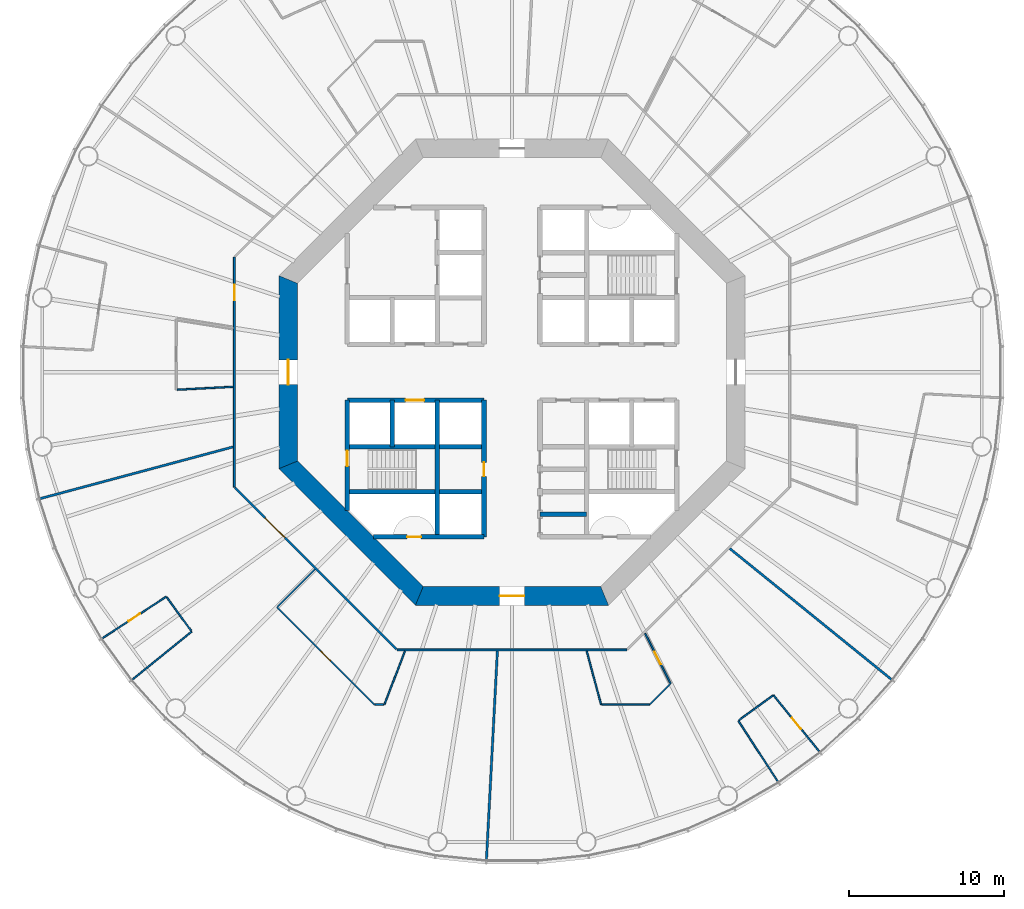
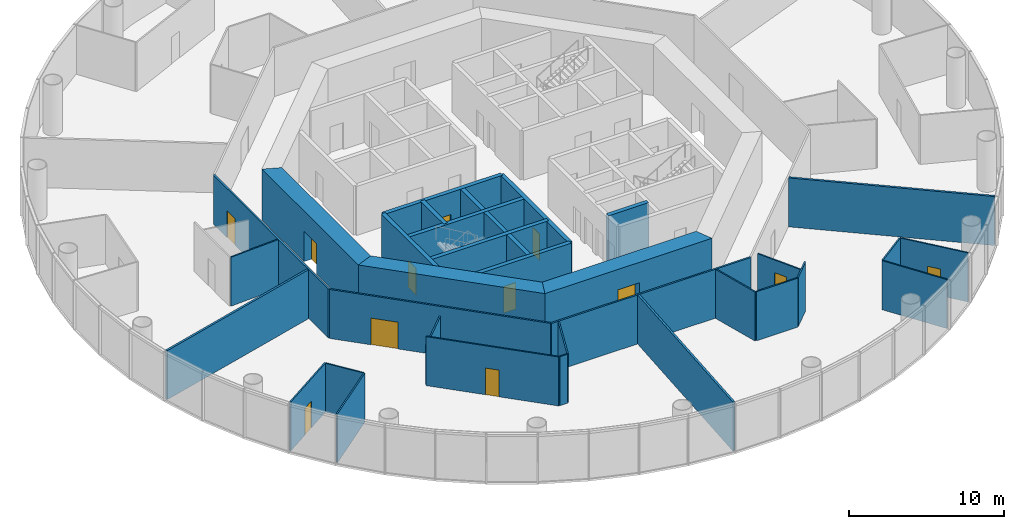
# One storey, part 3 of 13: 33 walls, 12 doors, 12 openings.
"""IFC4 building model written with IfcOpenShell, lengths in metres."""

import ifcopenshell
import ifcopenshell.guid

model = None  # the IFC model being written
_history = None  # IfcOwnerHistory: only IFC2X3 demands one
_inside = {}  # id of a spatial element -> (the spatial element, [elements in it])
_under = {}  # id of a project, library or spatial element -> (it, [spatial elements below it])
_declared = {}  # id of a project -> (the project, [libraries it declares])
_typed = {}  # id of a type object -> (the type object, [elements of that type])
_made_of = {}  # id of a material, layer set ... -> (it, [elements and type objects made of it])


def new_model(schema):
    """Start an empty IFC model of exactly this schema.

    Asked for "IFC4X3", IfcOpenShell would pick the latest addendum, in which some entities
    have other attributes; the version numbers below select the first issue.
    IFC2X3 requires an IfcOwnerHistory on every rooted entity: one is made here for all.
    """
    global model, _history
    if schema == "IFC4X3":
        model = ifcopenshell.file(schema_version=(4, 3, 0, 0))
    else:
        model = ifcopenshell.file(schema=schema)
    _inside.clear()
    _under.clear()
    _declared.clear()
    _typed.clear()
    _made_of.clear()
    _history = None
    if model.schema == "IFC2X3":
        org = make("IfcOrganization", Name="unknown")
        user = make(
            "IfcPersonAndOrganization",
            ThePerson=make("IfcPerson", FamilyName="unknown"),
            TheOrganization=org,
        )
        app = make(
            "IfcApplication",
            ApplicationDeveloper=org,
            Version="unknown",
            ApplicationFullName="unknown",
            ApplicationIdentifier="unknown",
        )
        _history = make(
            "IfcOwnerHistory",
            OwningUser=user,
            OwningApplication=app,
            ChangeAction="ADDED",
            CreationDate=0,
        )
    return model


def make(cls, **values):
    """One entity of the class cls with the attributes given. An attribute that is None is left unset."""
    return model.create_entity(
        cls, **{name: value for name, value in values.items() if value is not None}
    )


def rooted(cls, **values):
    """An entity with a GlobalId (a new one), such as an element, a storey or a relation."""
    return make(cls, GlobalId=ifcopenshell.guid.new(), OwnerHistory=_history, **values)


def si_unit(unit_type, name, prefix=None):
    """IfcSIUnit, for example si_unit("LENGTHUNIT", "METRE", prefix="MILLI")."""
    return make("IfcSIUnit", UnitType=unit_type, Prefix=prefix, Name=name)


def assignment(units):
    """IfcUnitAssignment: the units of a project."""
    return None if units is None else make("IfcUnitAssignment", Units=units)


def point(xyz):
    """IfcCartesianPoint."""
    return None if xyz is None else make("IfcCartesianPoint", Coordinates=xyz)


def direction(xyz):
    """IfcDirection."""
    return None if xyz is None else make("IfcDirection", DirectionRatios=xyz)


def frame(location, z_axis=None, x_axis=None):
    """IfcAxis2Placement3D, a coordinate frame: its origin and axes. An axis left out is left unset."""
    return make(
        "IfcAxis2Placement3D",
        Location=point(location),
        Axis=direction(z_axis),
        RefDirection=direction(x_axis),
    )


def frame_2d(location, x_axis=None):
    """IfcAxis2Placement2D, a coordinate frame in the plane: its origin and x axis."""
    return make(
        "IfcAxis2Placement2D", Location=point(location), RefDirection=direction(x_axis)
    )


def origin():
    """The frame at (0, 0, 0) with its axes left unset."""
    return frame((0.0, 0.0, 0.0))


def place(relative_to, where):
    """IfcLocalPlacement: puts the frame where relative to a parent placement (None: the world)."""
    return make(
        "IfcLocalPlacement", PlacementRelTo=relative_to, RelativePlacement=where
    )


def context(
    kind, dimensions, precision=None, world=None, true_north=None, identifier=None
):
    """IfcGeometricRepresentationContext, for example the 3D "Model" context."""
    return make(
        "IfcGeometricRepresentationContext",
        ContextIdentifier=identifier,
        ContextType=kind,
        CoordinateSpaceDimension=dimensions,
        Precision=precision,
        WorldCoordinateSystem=world,
        TrueNorth=true_north,
    )


def subcontext(parent, identifier, kind, view, scale=None):
    """IfcGeometricRepresentationSubContext, for example "Body" below "Model"."""
    return make(
        "IfcGeometricRepresentationSubContext",
        ContextIdentifier=identifier,
        ContextType=kind,
        ParentContext=parent,
        TargetScale=scale,
        TargetView=view,
    )


def project(units=None, contexts=None):
    """IfcProject with its units and contexts."""
    return rooted(
        "IfcProject",
        Name="project",
        RepresentationContexts=contexts,
        UnitsInContext=assignment(units),
    )


def spatial(cls, under=None, at=None, **own):
    """A site, building, storey or space (cls), placed at a placement, below another one or the project."""
    s = rooted(cls, ObjectPlacement=at, **own)
    if under is not None:
        _under.setdefault(under.id(), (under, []))[1].append(s)
    return s


def polyline(points):
    """IfcPolyline through the points."""
    return make("IfcPolyline", Points=[point(p) for p in points])


def profile(cls, at=None, kind="AREA", **sizes):
    """A parametric profile (cls). Its sizes go by their IFC names, for example OverallWidth=200.0."""
    return make(cls, ProfileType=kind, Position=at, **sizes)


def rectangle(**sizes):
    """IfcRectangleProfileDef."""
    return profile("IfcRectangleProfileDef", **sizes)


def outline(outer, holes=None, kind="AREA"):
    """IfcArbitraryClosedProfileDef: a profile drawn as a closed curve; with holes, ...WithVoids."""
    if holes is None:
        return make("IfcArbitraryClosedProfileDef", ProfileType=kind, OuterCurve=outer)
    return make(
        "IfcArbitraryProfileDefWithVoids",
        ProfileType=kind,
        OuterCurve=outer,
        InnerCurves=holes,
    )


def extrude(swept, where, along, depth):
    """IfcExtrudedAreaSolid: the profile swept, set in the frame where, extruded along a direction by depth."""
    return make(
        "IfcExtrudedAreaSolid",
        SweptArea=swept,
        Position=where,
        ExtrudedDirection=direction(along),
        Depth=depth,
    )


def shape(context_of_items, identifier, shape_type, items):
    """IfcShapeRepresentation: the items that make up one representation, for example the "Body"."""
    return make(
        "IfcShapeRepresentation",
        ContextOfItems=context_of_items,
        RepresentationIdentifier=identifier,
        RepresentationType=shape_type,
        Items=items,
    )


def material(Name=None, Category=None):
    """IfcMaterial."""
    return make("IfcMaterial", Name=Name, Category=Category)


def layer(
    of_material, thickness, ventilated=None, Name=None, Category=None, Priority=None
):
    """IfcMaterialLayer: one layer of a wall or slab, of a material (None: an air gap)."""
    return make(
        "IfcMaterialLayer",
        Material=of_material,
        LayerThickness=thickness,
        IsVentilated=ventilated,
        Name=Name,
        Category=Category,
        Priority=Priority,
    )


def layer_set(layers, Name=None):
    """IfcMaterialLayerSet."""
    return make("IfcMaterialLayerSet", MaterialLayers=layers, LayerSetName=Name)


def made_of(thing, what):
    """Note that an element or type object is made of a material, layer set ...; save() writes the relation."""
    if what is not None:
        _made_of.setdefault(what.id(), (what, []))[1].append(thing)
    return thing


def type_object(cls, material=None, **own):
    """A type object (cls), such as IfcWallType, which elements share."""
    return made_of(rooted(cls, **own), material)


def element(
    cls,
    number,
    at=None,
    inside=None,
    cuts=None,
    type_object=None,
    material=None,
    context=None,
    identifier="Body",
    shape_type=None,
    held_by="IfcProductDefinitionShape",
    body=None,
    shapes=None,
    **own,
):
    """One element of the class cls, such as IfcWall. Its Tag is "e" and its number.

    at: its placement. inside: the storey or other place that contains it. cuts: it is an
    opening in that element (IfcRelVoidsElement). A single representation is given by context,
    identifier, shape_type and body (its items); several are given by shapes. held_by: the class
    of the entity that holds the representations. save() writes the other relations.
    """
    e = rooted(cls, Tag="e%d" % number, ObjectPlacement=at, **own)
    if body is not None:
        shapes = [shape(context, identifier, shape_type, body)]
    if shapes is not None:
        e.Representation = make(held_by, Representations=shapes)
    if inside is not None:
        _inside.setdefault(inside.id(), (inside, []))[1].append(e)
    if cuts is not None:
        rooted(
            "IfcRelVoidsElement", RelatingBuildingElement=cuts, RelatedOpeningElement=e
        )
    if type_object is not None:
        _typed.setdefault(type_object.id(), (type_object, []))[1].append(e)
    return made_of(e, material)


def fill(opening, filler):
    """IfcRelFillsElement: the door or window that sits in an opening."""
    return rooted(
        "IfcRelFillsElement",
        RelatingOpeningElement=opening,
        RelatedBuildingElement=filler,
    )


def aggregate(whole, parts):
    """IfcRelAggregates: a whole, such as a stair, and the parts it consists of."""
    return rooted("IfcRelAggregates", RelatingObject=whole, RelatedObjects=parts)


def save(model, path):
    """Write the relations noted so far, then the file.

    IfcRelAggregates (storeys below a building ...), IfcRelContainedInSpatialStructure (elements
    in a storey), IfcRelDefinesByType, IfcRelAssociatesMaterial and IfcRelDeclares: one each for
    every whole, place, type object, material and project.
    """
    for whole, parts in _under.values():
        aggregate(whole, parts)
    for where, things in _inside.values():
        rooted(
            "IfcRelContainedInSpatialStructure",
            RelatedElements=things,
            RelatingStructure=where,
        )
    for kind, things in _typed.values():
        rooted("IfcRelDefinesByType", RelatedObjects=things, RelatingType=kind)
    for what, things in _made_of.values():
        rooted("IfcRelAssociatesMaterial", RelatedObjects=things, RelatingMaterial=what)
    for by, libraries in _declared.values():
        rooted("IfcRelDeclares", RelatingContext=by, RelatedDefinitions=libraries)
    model.write(path)


model = new_model("IFC4")

# Units and contexts
model_context = context("Model", 3, precision=1e-05, world=origin(), true_north=direction((0.0, 1.0)))
body_context = subcontext(model_context, "Body", "Model", "MODEL_VIEW")
ifc_project = project(units=[si_unit("LENGTHUNIT", "METRE"), si_unit("AREAUNIT", "SQUARE_METRE"), si_unit("VOLUMEUNIT", "CUBIC_METRE"), si_unit("PLANEANGLEUNIT", "RADIAN"), si_unit("MASSUNIT", "GRAM", prefix="KILO")], contexts=[model_context])

# Site, building, storey
site_placement = place(None, origin())
site = spatial("IfcSite", under=ifc_project, at=site_placement, CompositionType="ELEMENT")
building_placement = place(site_placement, origin())
building = spatial("IfcBuilding", under=site, at=building_placement, Name="Entoto Ring Tower", CompositionType="ELEMENT")
storey_placement = place(building_placement, frame((0.0, 0.0, 84.0)))
storey = spatial("IfcBuildingStorey", under=building, at=storey_placement, Name="L18", CompositionType="ELEMENT", Elevation=84.0)

# Wall, opening, door
ifc_material_1 = material(Name="Concrete C40/50", Category="concrete")
ifc_layer_1 = layer(ifc_material_1, 0.300048828125)
ifc_layer_set_1 = layer_set([ifc_layer_1], Name="Concrete C40/50")
wall_type_1 = type_object("IfcWallType", Name="Core enclosure wall 300 mm reinforced concrete", PredefinedType="SOLIDWALL", material=ifc_layer_set_1)
wall_1_placement = place(storey_placement, frame((88.199951171875, 69.39990234375, 0.0), z_axis=(0.0, 0.0, 1.0), x_axis=(0.0, 1.0, 0.0)))
wall_1 = element("IfcWall", 1, at=wall_1_placement, inside=storey, type_object=wall_type_1, Name="wall-L18-009", PredefinedType="SOLIDWALL", context=body_context, shape_type="SweptSolid", body=[
    extrude(rectangle(XDim=8.800048828125, YDim=0.300048828125, at=frame_2d((4.39990234375, 0.0))), origin(), (0.0, 0.0, 1.0), 3.85009765625),
])
opening_1_placement = place(wall_1_placement, frame((3.89990234375, 0.0, 0.0)))
opening_1 = element("IfcOpeningElement", 2, at=opening_1_placement, cuts=wall_1, Name="Opening K-57", PredefinedType="OPENING", context=body_context, shape_type="SweptSolid", body=[
    extrude(rectangle(XDim=0.89990234375, YDim=2.10009765625, at=frame_2d((0.449951171875, 1.050048828125))), frame((0.0, 0.16015625, 0.0), z_axis=(0.0, -1.0, 0.0), x_axis=(1.0, 0.0, 0.0)), (0.0, 0.0, 1.0), 0.320068359375),
])
ifc_material_2 = material(Name="Steel door leaf, fire rated", Category="steel")
ifc_layer_2 = layer(ifc_material_2, 0.050048828125)
ifc_layer_set_2 = layer_set([ifc_layer_2], Name="Steel door leaf, fire rated")
door_type_1 = type_object("IfcDoorType", Name="Core door 900 x 2100 single leaf", OperationType="NOTDEFINED", PredefinedType="DOOR", material=ifc_layer_set_2)
door_1_placement = place(opening_1_placement, origin())
door_1 = element("IfcDoor", 3, at=door_1_placement, inside=storey, type_object=door_type_1, Name="Door K-57", OperationType="SINGLE_SWING_RIGHT", OverallHeight=2.10009765625, OverallWidth=0.89990234375, PredefinedType="DOOR", context=body_context, shape_type="SweptSolid", body=[
    extrude(rectangle(XDim=0.89990234375, YDim=2.10009765625, at=frame_2d((0.449951171875, 1.050048828125))), frame((0.0, 0.02490234375, 0.0), z_axis=(0.0, -1.0, 0.0), x_axis=(1.0, 0.0, 0.0)), (0.0, 0.0, 1.0), 0.050048828125),
])
fill(opening_1, door_1)

# Walls
wall_2_placement = place(storey_placement, frame((85.199951171875, 69.39990234375, 0.0), z_axis=(0.0, 0.0, 1.0), x_axis=(0.0, 1.0, 0.0)))
element("IfcWall", 4, at=wall_2_placement, inside=storey, type_object=wall_type_1, Name="wall-L18-011", PredefinedType="SOLIDWALL", context=body_context, shape_type="SweptSolid", body=[
    extrude(rectangle(XDim=8.800048828125, YDim=0.300048828125, at=frame_2d((4.39990234375, 0.0))), origin(), (0.0, 0.0, 1.0), 3.85009765625),
])
wall_3_placement = place(storey_placement, frame((82.300048828125, 75.199951171875, 0.0), z_axis=(0.0, 0.0, 1.0), x_axis=(0.0, 1.0, 0.0)))
element("IfcWall", 5, at=wall_3_placement, inside=storey, type_object=wall_type_1, Name="wall-L18-013", PredefinedType="SOLIDWALL", context=body_context, shape_type="SweptSolid", body=[
    extrude(rectangle(XDim=3.0, YDim=0.300048828125, at=frame_2d((1.5, 0.0))), origin(), (0.0, 0.0, 1.0), 3.85009765625),
])

# Wall, opening, door
wall_4_placement = place(storey_placement, frame((79.39990234375, 71.083984375, 0.0), z_axis=(0.0, 0.0, 1.0), x_axis=(0.0, 1.0, 0.0)))
wall_4 = element("IfcWall", 6, at=wall_4_placement, inside=storey, type_object=wall_type_1, Name="wall-L18-015", PredefinedType="SOLIDWALL", context=body_context, shape_type="SweptSolid", body=[
    extrude(rectangle(XDim=7.115966796875, YDim=0.300048828125, at=frame_2d((3.55810546875, 0.0))), origin(), (0.0, 0.0, 1.0), 3.85009765625),
])
opening_2_placement = place(wall_4_placement, frame((2.8662109375, 0.0, 0.0)))
opening_2 = element("IfcOpeningElement", 7, at=opening_2_placement, cuts=wall_4, Name="Opening K-67", PredefinedType="OPENING", context=body_context, shape_type="SweptSolid", body=[
    extrude(rectangle(XDim=1.0, YDim=2.10009765625, at=frame_2d((0.5, 1.050048828125))), frame((0.0, 0.16015625, 0.0), z_axis=(0.0, -1.0, 0.0), x_axis=(1.0, 0.0, 0.0)), (0.0, 0.0, 1.0), 0.320068359375),
])
ifc_material_3 = material(Name="Steel door leaf, fire rated", Category="steel")
ifc_layer_3 = layer(ifc_material_3, 0.050048828125)
ifc_layer_set_3 = layer_set([ifc_layer_3], Name="Steel door leaf, fire rated")
door_type_2 = type_object("IfcDoorType", Name="Fire door FD60 1000 x 2100 single leaf", OperationType="NOTDEFINED", PredefinedType="DOOR", material=ifc_layer_set_3)
door_2_placement = place(opening_2_placement, frame((1.0, 0.0, 0.0), z_axis=(0.0, 0.0, 1.0), x_axis=(-1.0, 0.0, 0.0)))
door_2 = element("IfcDoor", 8, at=door_2_placement, inside=storey, type_object=door_type_2, Name="Door K-67", OperationType="SINGLE_SWING_LEFT", OverallHeight=2.10009765625, OverallWidth=1.0, PredefinedType="DOOR", context=body_context, shape_type="SweptSolid", body=[
    extrude(rectangle(XDim=1.0, YDim=2.10009765625, at=frame_2d((0.5, 1.050048828125))), frame((0.0, 0.02490234375, 0.0), z_axis=(0.0, -1.0, 0.0), x_axis=(1.0, 0.0, 0.0)), (0.0, 0.0, 1.0), 0.050048828125),
])
fill(opening_2, door_2)

wall_5_placement = place(storey_placement, frame((81.083984375, 69.39990234375, 0.0), z_axis=(0.0, 0.0, 1.0), x_axis=(1.0, 0.0, 0.0)))
wall_5 = element("IfcWall", 9, at=wall_5_placement, inside=storey, type_object=wall_type_1, Name="wall-L18-017", PredefinedType="SOLIDWALL", context=body_context, shape_type="SweptSolid", body=[
    extrude(rectangle(XDim=7.115966796875, YDim=0.300048828125, at=frame_2d((3.55810546875, 0.0))), origin(), (0.0, 0.0, 1.0), 3.85009765625),
])
opening_3_placement = place(wall_5_placement, frame((2.166015625, 0.0, 0.0)))
opening_3 = element("IfcOpeningElement", 10, at=opening_3_placement, cuts=wall_5, Name="Opening K-74", PredefinedType="OPENING", context=body_context, shape_type="SweptSolid", body=[
    extrude(rectangle(XDim=0.89990234375, YDim=2.10009765625, at=frame_2d((0.449951171875, 1.050048828125))), frame((0.0, 0.16015625, 0.0), z_axis=(0.0, -1.0, 0.0), x_axis=(1.0, 0.0, 0.0)), (0.0, 0.0, 1.0), 0.320068359375),
])
ifc_material_4 = material(Name="Steel door leaf, fire rated", Category="steel")
ifc_layer_4 = layer(ifc_material_4, 0.050048828125)
ifc_layer_set_4 = layer_set([ifc_layer_4], Name="Steel door leaf, fire rated")
door_type_3 = type_object("IfcDoorType", Name="Riser door FD60 900 x 2100 single leaf", OperationType="NOTDEFINED", PredefinedType="DOOR", material=ifc_layer_set_4)
door_3_placement = place(opening_3_placement, origin())
door_3 = element("IfcDoor", 11, at=door_3_placement, inside=storey, type_object=door_type_3, Name="Door K-74", OperationType="SINGLE_SWING_RIGHT", OverallHeight=2.10009765625, OverallWidth=0.89990234375, PredefinedType="DOOR", context=body_context, shape_type="SweptSolid", body=[
    extrude(rectangle(XDim=0.89990234375, YDim=2.10009765625, at=frame_2d((0.449951171875, 1.050048828125))), frame((0.0, 0.02490234375, 0.0), z_axis=(0.0, -1.0, 0.0), x_axis=(1.0, 0.0, 0.0)), (0.0, 0.0, 1.0), 0.050048828125),
])
fill(opening_3, door_3)

# Walls
wall_6_placement = place(storey_placement, frame((91.800048828125, 70.85009765625, 0.0), z_axis=(0.0, 0.0, 1.0), x_axis=(1.0, 0.0, 0.0)))
element("IfcWall", 12, at=wall_6_placement, inside=storey, type_object=wall_type_1, Name="wall-L18-019", PredefinedType="SOLIDWALL", context=body_context, shape_type="SweptSolid", body=[
    extrude(rectangle(XDim=3.0, YDim=0.300048828125, at=frame_2d((1.5, 0.0))), origin(), (0.0, 0.0, 1.0), 3.85009765625),
])
for number, where, z_axis, x_axis, name in (
    (13, (79.39990234375, 72.300048828125, 0.0), (0.0, 0.0, 1.0), (1.0, 0.0, 0.0), "wall-L18-020"),
    (14, (79.39990234375, 75.199951171875, 0.0), (0.0, 0.0, 1.0), (1.0, 0.0, 0.0), "wall-L18-023"),
):
    element("IfcWall", number, at=place(storey_placement, frame(where, z_axis=z_axis, x_axis=x_axis)), inside=storey, type_object=wall_type_1, Name=name, PredefinedType="SOLIDWALL", context=body_context, shape_type="SweptSolid", body=[
        extrude(rectangle(XDim=8.800048828125, YDim=0.300048828125, at=frame_2d((4.39990234375, 0.0))), origin(), (0.0, 0.0, 1.0), 3.85009765625),
    ])

# Wall, opening, door
wall_7_placement = place(storey_placement, frame((79.39990234375, 78.199951171875, 0.0), z_axis=(0.0, 0.0, 1.0), x_axis=(1.0, 0.0, 0.0)))
wall_7 = element("IfcWall", 15, at=wall_7_placement, inside=storey, type_object=wall_type_1, Name="wall-L18-025", PredefinedType="SOLIDWALL", context=body_context, shape_type="SweptSolid", body=[
    extrude(rectangle(XDim=8.800048828125, YDim=0.300048828125, at=frame_2d((4.39990234375, 0.0))), origin(), (0.0, 0.0, 1.0), 3.85009765625),
])
opening_4_placement = place(wall_7_placement, frame((3.75, 0.0, 0.0)))
opening_4 = element("IfcOpeningElement", 16, at=opening_4_placement, cuts=wall_7, Name="Opening LD", PredefinedType="OPENING", context=body_context, shape_type="SweptSolid", body=[
    extrude(rectangle(XDim=1.199951171875, YDim=2.10009765625, at=frame_2d((0.60009765625, 1.050048828125))), frame((0.0, 0.16015625, 0.0), z_axis=(0.0, -1.0, 0.0), x_axis=(1.0, 0.0, 0.0)), (0.0, 0.0, 1.0), 0.320068359375),
])
ifc_material_5 = material(Name="Steel and glass door leaf", Category="steel")
ifc_layer_5 = layer(ifc_material_5, 0.050048828125)
ifc_layer_set_5 = layer_set([ifc_layer_5], Name="Steel and glass door leaf")
door_type_4 = type_object("IfcDoorType", Name="Landing door 1200 x 2100 sliding", OperationType="DOUBLE_DOOR_SLIDING", PredefinedType="DOOR", material=ifc_layer_set_5)
door_4_placement = place(opening_4_placement, origin())
door_4 = element("IfcDoor", 17, at=door_4_placement, inside=storey, type_object=door_type_4, Name="Landing door LB6-LR", OperationType="SLIDING_TO_RIGHT", OverallHeight=2.10009765625, OverallWidth=1.199951171875, PredefinedType="DOOR", context=body_context, shape_type="SweptSolid", body=[
    extrude(rectangle(XDim=1.199951171875, YDim=2.10009765625, at=frame_2d((0.60009765625, 1.050048828125))), frame((0.0, 0.02490234375, 0.0), z_axis=(0.0, -1.0, 0.0), x_axis=(1.0, 0.0, 0.0)), (0.0, 0.0, 1.0), 0.050048828125),
])
fill(opening_4, door_4)

ifc_material_6 = material(Name="Concrete C60/75", Category="concrete")
ifc_layer_6 = layer(ifc_material_6, 1.199951171875)
ifc_layer_set_6 = layer_set([ifc_layer_6], Name="Concrete C60/75")
wall_type_2 = type_object("IfcWallType", Name="Core shear wall 1200 mm reinforced concrete C60/75", PredefinedType="SHEAR", material=ifc_layer_set_6)
wall_8_placement = place(storey_placement, frame((75.60009765625, 85.964599609375, 0.0), z_axis=(0.0, 0.0, 1.0), x_axis=(0.0, -1.0, 0.0)))
wall_8 = element("IfcWall", 18, at=wall_8_placement, inside=storey, type_object=wall_type_2, Name="wall-L18-core-4", PredefinedType="SHEAR", context=body_context, shape_type="SweptSolid", body=[
    extrude(outline(polyline([(-0.24853515625, -0.60009765625), (12.177734375, -0.60009765625), (11.6806640625, 0.60009765625), (0.24853515625, 0.60009765625), (-0.24853515625, -0.60009765625)])), origin(), (0.0, 0.0, 1.0), 4.0),
])
opening_5_placement = place(wall_8_placement, frame((5.164794921875, 0.0, 0.0)))
opening_5 = element("IfcOpeningElement", 19, at=opening_5_placement, cuts=wall_8, Name="Opening K-03", PredefinedType="OPENING", context=body_context, shape_type="SweptSolid", body=[
    extrude(rectangle(XDim=1.60009765625, YDim=2.39990234375, at=frame_2d((0.800048828125, 1.199951171875))), frame((0.0, 0.60986328125, 0.0), z_axis=(0.0, -1.0, 0.0), x_axis=(1.0, 0.0, 0.0)), (0.0, 0.0, 1.0), 1.219970703125),
])
ifc_material_7 = material(Name="Steel door leaf, fire rated", Category="steel")
ifc_layer_7 = layer(ifc_material_7, 0.050048828125)
ifc_layer_set_7 = layer_set([ifc_layer_7], Name="Steel door leaf, fire rated")
door_type_5 = type_object("IfcDoorType", Name="Entrance door FD60 1600 x 2400 double leaf", OperationType="DOUBLE_DOOR_SINGLE_SWING", PredefinedType="DOOR", material=ifc_layer_set_7)
door_5_placement = place(opening_5_placement, origin())
door_5 = element("IfcDoor", 20, at=door_5_placement, inside=storey, type_object=door_type_5, Name="Entrance door K-03", OperationType="DOUBLE_DOOR_SINGLE_SWING", OverallHeight=2.39990234375, OverallWidth=1.60009765625, PredefinedType="DOOR", context=body_context, shape_type="SweptSolid", body=[
    extrude(rectangle(XDim=1.60009765625, YDim=2.39990234375, at=frame_2d((0.800048828125, 1.199951171875))), frame((0.0, 0.02490234375, 0.0), z_axis=(0.0, -1.0, 0.0), x_axis=(1.0, 0.0, 0.0)), (0.0, 0.0, 1.0), 0.050048828125),
])
fill(opening_5, door_5)

# Wall
wall_9_placement = place(storey_placement, frame((75.60009765625, 74.035400390625, 0.0), z_axis=(0.0, 0.0, 1.0), x_axis=(0.707106781187, -0.707106781187, 0.0)))
element("IfcWall", 21, at=wall_9_placement, inside=storey, type_object=wall_type_2, Name="wall-L18-core-5", PredefinedType="SHEAR", context=body_context, shape_type="SweptSolid", body=[
    extrude(outline(polyline([(-0.24853515625, -0.60009765625), (12.177734375, -0.60009765625), (11.6806640625, 0.60009765625), (0.24853515625, 0.60009765625), (-0.24853515625, -0.60009765625)])), origin(), (0.0, 0.0, 1.0), 4.0),
])

# Wall, opening, door
wall_10_placement = place(storey_placement, frame((84.035400390625, 65.60009765625, 0.0), z_axis=(0.0, 0.0, 1.0), x_axis=(1.0, 0.0, 0.0)))
wall_10 = element("IfcWall", 22, at=wall_10_placement, inside=storey, type_object=wall_type_2, Name="wall-L18-core-6", PredefinedType="SHEAR", context=body_context, shape_type="SweptSolid", body=[
    extrude(outline(polyline([(-0.24853515625, -0.60009765625), (12.177734375, -0.60009765625), (11.6806640625, 0.60009765625), (0.24853515625, 0.60009765625), (-0.24853515625, -0.60009765625)])), origin(), (0.0, 0.0, 1.0), 4.0),
])
opening_6_placement = place(wall_10_placement, frame((5.164794921875, 0.0, 0.0)))
opening_6 = element("IfcOpeningElement", 23, at=opening_6_placement, cuts=wall_10, Name="Opening K-04", PredefinedType="OPENING", context=body_context, shape_type="SweptSolid", body=[
    extrude(rectangle(XDim=1.60009765625, YDim=2.39990234375, at=frame_2d((0.800048828125, 1.199951171875))), frame((0.0, 0.60986328125, 0.0), z_axis=(0.0, -1.0, 0.0), x_axis=(1.0, 0.0, 0.0)), (0.0, 0.0, 1.0), 1.219970703125),
])
door_6_placement = place(opening_6_placement, origin())
door_6 = element("IfcDoor", 24, at=door_6_placement, inside=storey, type_object=door_type_5, Name="Entrance door K-04", OperationType="DOUBLE_DOOR_SINGLE_SWING", OverallHeight=2.39990234375, OverallWidth=1.60009765625, PredefinedType="DOOR", context=body_context, shape_type="SweptSolid", body=[
    extrude(rectangle(XDim=1.60009765625, YDim=2.39990234375, at=frame_2d((0.800048828125, 1.199951171875))), frame((0.0, 0.02490234375, 0.0), z_axis=(0.0, -1.0, 0.0), x_axis=(1.0, 0.0, 0.0)), (0.0, 0.0, 1.0), 0.050048828125),
])
fill(opening_6, door_6)

ifc_material_8 = material(Name="Fire-resisting plasterboard on steel studs", Category="steel")
ifc_layer_8 = layer(ifc_material_8, 0.125)
ifc_layer_set_8 = layer_set([ifc_layer_8], Name="Fire-resisting plasterboard on steel studs")
wall_type_3 = type_object("IfcWallType", Name="Corridor wall 125 mm one-hour plasterboard on steel studs", PredefinedType="PARTITIONING", material=ifc_layer_set_8)
wall_11_placement = place(storey_placement, frame((72.137451171875, 72.60107421875, 0.0), z_axis=(0.0, 0.0, 1.0), x_axis=(0.0, 1.0, 0.0)))
wall_11 = element("IfcWall", 25, at=wall_11_placement, inside=storey, type_object=wall_type_3, Name="partition-L18-001", PredefinedType="PARTITIONING", context=body_context, shape_type="SweptSolid", body=[
    extrude(rectangle(XDim=14.7978515625, YDim=0.125, at=frame_2d((7.39892578125, 0.0))), origin(), (0.0, 0.0, 1.0), 3.85009765625),
])
opening_7_placement = place(wall_11_placement, frame((12.012939453125, 0.0, 0.0)))
opening_7 = element("IfcOpeningElement", 26, at=opening_7_placement, cuts=wall_11, Name="Opening A08-D10", PredefinedType="OPENING", context=body_context, shape_type="SweptSolid", body=[
    extrude(rectangle(XDim=1.0, YDim=2.10009765625, at=frame_2d((0.5, 1.050048828125))), frame((0.0, 0.072509765625, 0.0), z_axis=(0.0, -1.0, 0.0), x_axis=(1.0, 0.0, 0.0)), (0.0, 0.0, 1.0), 0.14501953125),
])
ifc_material_9 = material(Name="Fire-resisting timber door set", Category="wood")
door_type_6 = type_object("IfcDoorType", Name="Door 1000 x 2100 single leaf FD30S fire door", OperationType="NOTDEFINED", PredefinedType="DOOR", material=ifc_material_9)
door_7_placement = place(opening_7_placement, origin())
door_7 = element("IfcDoor", 27, at=door_7_placement, inside=storey, type_object=door_type_6, Name="Door A08-D10", OperationType="SINGLE_SWING_LEFT", OverallHeight=2.10009765625, OverallWidth=1.0, PredefinedType="DOOR", context=body_context, shape_type="SweptSolid", body=[
    extrude(rectangle(XDim=1.0, YDim=2.10009765625, at=frame_2d((0.5, 1.050048828125))), frame((0.0, 0.02490234375, 0.0), z_axis=(0.0, -1.0, 0.0), x_axis=(1.0, 0.0, 0.0)), (0.0, 0.0, 1.0), 0.050048828125),
])
fill(opening_7, door_7)

# Wall
wall_12_placement = place(storey_placement, frame((82.60107421875, 62.137451171875, 0.0), z_axis=(0.0, 0.0, 1.0), x_axis=(1.0, 0.0, 0.0)))
element("IfcWall", 28, at=wall_12_placement, inside=storey, type_object=wall_type_3, Name="partition-L18-002", PredefinedType="PARTITIONING", context=body_context, shape_type="SweptSolid", body=[
    extrude(rectangle(XDim=14.7978515625, YDim=0.125, at=frame_2d((7.39892578125, 0.0))), origin(), (0.0, 0.0, 1.0), 3.85009765625),
])

# Wall, opening, door
wall_13_placement = place(storey_placement, frame((82.570068359375, 62.168701171875, 0.0), z_axis=(0.0, 0.0, 1.0), x_axis=(-0.707106781187, 0.707106781187, 0.0)))
wall_13 = element("IfcWall", 29, at=wall_13_placement, inside=storey, type_object=wall_type_3, Name="partition-L18-006", PredefinedType="PARTITIONING", context=body_context, shape_type="SweptSolid", body=[
    extrude(rectangle(XDim=14.709716796875, YDim=0.125, at=frame_2d((7.35498046875, 0.0))), origin(), (0.0, 0.0, 1.0), 3.85009765625),
])
opening_8_placement = place(wall_13_placement, frame((10.154296875, 0.0, 0.0)))
opening_8 = element("IfcOpeningElement", 30, at=opening_8_placement, cuts=wall_13, Name="Opening A08-D13", PredefinedType="OPENING", context=body_context, shape_type="SweptSolid", body=[
    extrude(rectangle(XDim=1.800048828125, YDim=2.10009765625, at=frame_2d((0.89990234375, 1.050048828125))), frame((0.0, 0.072509765625, 0.0), z_axis=(0.0, -1.0, 0.0), x_axis=(1.0, 0.0, 0.0)), (0.0, 0.0, 1.0), 0.14501953125),
])
ifc_material_10 = material(Name="Fire-resisting timber door set", Category="wood")
door_type_7 = type_object("IfcDoorType", Name="Door 1800 x 2100 double leaf FD30S fire door", OperationType="DOUBLE_DOOR_SINGLE_SWING", PredefinedType="DOOR", material=ifc_material_10)
door_8_placement = place(opening_8_placement, origin())
door_8 = element("IfcDoor", 31, at=door_8_placement, inside=storey, type_object=door_type_7, Name="Door A08-D13", OperationType="DOUBLE_DOOR_SINGLE_SWING", OverallHeight=2.10009765625, OverallWidth=1.800048828125, PredefinedType="DOOR", context=body_context, shape_type="SweptSolid", body=[
    extrude(rectangle(XDim=1.800048828125, YDim=2.10009765625, at=frame_2d((0.89990234375, 1.050048828125))), frame((0.0, 0.02490234375, 0.0), z_axis=(0.0, -1.0, 0.0), x_axis=(1.0, 0.0, 0.0)), (0.0, 0.0, 1.0), 0.050048828125),
])
fill(opening_8, door_8)

ifc_material_11 = material(Name="Plasterboard on steel studs", Category="steel")
ifc_layer_9 = layer(ifc_material_11, 0.10009765625)
ifc_layer_set_9 = layer_set([ifc_layer_9], Name="Plasterboard on steel studs")
wall_type_4 = type_object("IfcWallType", Name="Partition 100 mm plasterboard on steel studs", PredefinedType="PARTITIONING", material=ifc_layer_set_9)
wall_14_placement = place(storey_placement, frame((81.14306640625, 58.617431640625, 0.0), z_axis=(0.0, 0.0, 1.0), x_axis=(-0.707092998638, 0.707120563467, 0.0)))
wall_14 = element("IfcWall", 32, at=wall_14_placement, inside=storey, type_object=wall_type_4, Name="partition-L18-015", PredefinedType="PARTITIONING", context=body_context, shape_type="SweptSolid", body=[
    extrude(rectangle(XDim=8.85693359375, YDim=0.10009765625, at=frame_2d((4.428466796875, 0.0))), origin(), (0.0, 0.0, 1.0), 3.85009765625),
])
opening_9_placement = place(wall_14_placement, frame((3.978515625, 0.0, 0.0)))
opening_9 = element("IfcOpeningElement", 33, at=opening_9_placement, cuts=wall_14, Name="Opening A08-D14", PredefinedType="OPENING", context=body_context, shape_type="SweptSolid", body=[
    extrude(rectangle(XDim=0.89990234375, YDim=2.10009765625, at=frame_2d((0.449951171875, 1.050048828125))), frame((0.0, 0.06005859375, 0.0), z_axis=(0.0, -1.0, 0.0), x_axis=(1.0, 0.0, 0.0)), (0.0, 0.0, 1.0), 0.1201171875),
])
ifc_material_12 = material(Name="Veneered timber door leaf in timber frame", Category="wood")
door_type_8 = type_object("IfcDoorType", Name="Door 900 x 2100 single leaf timber veneer", OperationType="NOTDEFINED", PredefinedType="DOOR", material=ifc_material_12)
door_9_placement = place(opening_9_placement, frame((0.89990234375, 0.0, 0.0), z_axis=(0.0, 0.0, 1.0), x_axis=(-1.0, 0.0, 0.0)))
door_9 = element("IfcDoor", 34, at=door_9_placement, inside=storey, type_object=door_type_8, Name="Door A08-D14", OperationType="SINGLE_SWING_LEFT", OverallHeight=2.10009765625, OverallWidth=0.89990234375, PredefinedType="DOOR", context=body_context, shape_type="SweptSolid", body=[
    extrude(rectangle(XDim=0.89990234375, YDim=2.10009765625, at=frame_2d((0.449951171875, 1.050048828125))), frame((0.0, 0.02490234375, 0.0), z_axis=(0.0, -1.0, 0.0), x_axis=(1.0, 0.0, 0.0)), (0.0, 0.0, 1.0), 0.050048828125),
])
fill(opening_9, door_9)

wall_15_placement = place(storey_placement, frame((63.632080078125, 62.87646484375, 0.0), z_axis=(0.0, 0.0, 1.0), x_axis=(0.838677075935, 0.544629013458, 0.0)))
wall_15 = element("IfcWall", 35, at=wall_15_placement, inside=storey, type_object=wall_type_4, Name="partition-L18-022", PredefinedType="PARTITIONING", context=body_context, shape_type="SweptSolid", body=[
    extrude(rectangle(XDim=4.920166015625, YDim=0.10009765625, at=frame_2d((2.4599609375, 0.0))), origin(), (0.0, 0.0, 1.0), 3.85009765625),
])
opening_10_placement = place(wall_15_placement, frame((2.010009765625, 0.0, 0.0)))
opening_10 = element("IfcOpeningElement", 36, at=opening_10_placement, cuts=wall_15, Name="Opening A08-D15", PredefinedType="OPENING", context=body_context, shape_type="SweptSolid", body=[
    extrude(rectangle(XDim=0.89990234375, YDim=2.10009765625, at=frame_2d((0.449951171875, 1.050048828125))), frame((0.0, 0.06005859375, 0.0), z_axis=(0.0, -1.0, 0.0), x_axis=(1.0, 0.0, 0.0)), (0.0, 0.0, 1.0), 0.1201171875),
])
door_10_placement = place(opening_10_placement, frame((0.89990234375, 0.0, 0.0), z_axis=(0.0, 0.0, 1.0), x_axis=(-1.0, 0.0, 0.0)))
door_10 = element("IfcDoor", 37, at=door_10_placement, inside=storey, type_object=door_type_8, Name="Door A08-D15", OperationType="SINGLE_SWING_RIGHT", OverallHeight=2.10009765625, OverallWidth=0.89990234375, PredefinedType="DOOR", context=body_context, shape_type="SweptSolid", body=[
    extrude(rectangle(XDim=0.89990234375, YDim=2.10009765625, at=frame_2d((0.449951171875, 1.050048828125))), frame((0.0, 0.02490234375, 0.0), z_axis=(0.0, -1.0, 0.0), x_axis=(1.0, 0.0, 0.0)), (0.0, 0.0, 1.0), 0.050048828125),
])
fill(opening_10, door_10)

# Wall
wall_16_placement = place(storey_placement, frame((65.56640625, 60.214111328125, 0.0), z_axis=(0.0, 0.0, 1.0), x_axis=(0.777166286513, 0.629295290867, 0.0)))
element("IfcWall", 38, at=wall_16_placement, inside=storey, type_object=wall_type_4, Name="partition-L18-023", PredefinedType="PARTITIONING", context=body_context, shape_type="SweptSolid", body=[
    extrude(rectangle(XDim=4.920166015625, YDim=0.10009765625, at=frame_2d((2.4599609375, 0.0))), origin(), (0.0, 0.0, 1.0), 3.85009765625),
])

# Wall, opening, door
wall_17_placement = place(storey_placement, frame((109.785888671875, 55.56640625, 0.0), z_axis=(0.0, 0.0, 1.0), x_axis=(-0.629346149209, 0.777125102204, 0.0)))
wall_17 = element("IfcWall", 39, at=wall_17_placement, inside=storey, type_object=wall_type_4, Name="partition-L18-026", PredefinedType="PARTITIONING", context=body_context, shape_type="SweptSolid", body=[
    extrude(rectangle(XDim=4.7001953125, YDim=0.10009765625, at=frame_2d((2.35009765625, 0.0))), origin(), (0.0, 0.0, 1.0), 3.85009765625),
])
opening_11_placement = place(wall_17_placement, frame((1.89990234375, 0.0, 0.0)))
opening_11 = element("IfcOpeningElement", 40, at=opening_11_placement, cuts=wall_17, Name="Opening A08-D18", PredefinedType="OPENING", context=body_context, shape_type="SweptSolid", body=[
    extrude(rectangle(XDim=0.89990234375, YDim=2.10009765625, at=frame_2d((0.449951171875, 1.050048828125))), frame((0.0, 0.06005859375, 0.0), z_axis=(0.0, -1.0, 0.0), x_axis=(1.0, 0.0, 0.0)), (0.0, 0.0, 1.0), 0.1201171875),
])
door_11_placement = place(opening_11_placement, origin())
door_11 = element("IfcDoor", 41, at=door_11_placement, inside=storey, type_object=door_type_8, Name="Door A08-D18", OperationType="SINGLE_SWING_LEFT", OverallHeight=2.10009765625, OverallWidth=0.89990234375, PredefinedType="DOOR", context=body_context, shape_type="SweptSolid", body=[
    extrude(rectangle(XDim=0.89990234375, YDim=2.10009765625, at=frame_2d((0.449951171875, 1.050048828125))), frame((0.0, 0.02490234375, 0.0), z_axis=(0.0, -1.0, 0.0), x_axis=(1.0, 0.0, 0.0)), (0.0, 0.0, 1.0), 0.050048828125),
])
fill(opening_11, door_11)

# Walls
wall_18_placement = place(storey_placement, frame((107.12353515625, 53.632080078125, 0.0), z_axis=(0.0, 0.0, 1.0), x_axis=(-0.54462679562, 0.838678516174, 0.0)))
element("IfcWall", 42, at=wall_18_placement, inside=storey, type_object=wall_type_4, Name="partition-L18-027", PredefinedType="PARTITIONING", context=body_context, shape_type="SweptSolid", body=[
    extrude(rectangle(XDim=4.7001953125, YDim=0.10009765625, at=frame_2d((2.35009765625, 0.0))), origin(), (0.0, 0.0, 1.0), 3.85009765625),
])
wall_19_placement = place(storey_placement, frame((81.7919921875, 58.617431640625, 0.0), z_axis=(0.0, 0.0, 1.0), x_axis=(0.358352911107, 0.933586199074, 0.0)))
element("IfcWall", 43, at=wall_19_placement, inside=storey, type_object=wall_type_4, Name="partition-L18-041", PredefinedType="PARTITIONING", context=body_context, shape_type="SweptSolid", body=[
    extrude(rectangle(XDim=3.684326171875, YDim=0.10009765625, at=frame_2d((1.84228515625, 0.0))), origin(), (0.0, 0.0, 1.0), 3.85009765625),
])
wall_20_placement = place(storey_placement, frame((68.4501953125, 78.87060546875, 0.0), z_axis=(0.0, 0.0, 1.0), x_axis=(0.998628036572, 0.052364535449, 0.0)))
element("IfcWall", 44, at=wall_20_placement, inside=storey, type_object=wall_type_4, Name="partition-L18-042", PredefinedType="PARTITIONING", context=body_context, shape_type="SweptSolid", body=[
    extrude(rectangle(XDim=3.627197265625, YDim=0.10009765625, at=frame_2d((1.8134765625, 0.0))), origin(), (0.0, 0.0, 1.0), 3.85009765625),
])
wall_21_placement = place(storey_placement, frame((95.732177734375, 58.607421875, 0.0), z_axis=(0.0, 0.0, 1.0), x_axis=(-0.258835028784, 0.965921543333, 0.0)))
element("IfcWall", 45, at=wall_21_placement, inside=storey, type_object=wall_type_4, Name="partition-L18-044", PredefinedType="PARTITIONING", context=body_context, shape_type="SweptSolid", body=[
    extrude(rectangle(XDim=3.57666015625, YDim=0.10009765625, at=frame_2d((1.788330078125, 0.0))), origin(), (0.0, 0.0, 1.0), 3.85009765625),
])
wall_22_placement = place(storey_placement, frame((95.7802734375, 58.607421875, 0.0), z_axis=(0.0, 0.0, 1.0), x_axis=(1.0, 0.0, 0.0)))
element("IfcWall", 46, at=wall_22_placement, inside=storey, type_object=wall_type_4, Name="partition-L18-048", PredefinedType="PARTITIONING", context=body_context, shape_type="SweptSolid", body=[
    extrude(rectangle(XDim=3.080810546875, YDim=0.10009765625, at=frame_2d((1.54052734375, 0.0))), origin(), (0.0, 0.0, 1.0), 3.85009765625),
])
wall_23_placement = place(storey_placement, frame((104.60400390625, 57.603271484375, 0.0), z_axis=(0.0, 0.0, 1.0), x_axis=(0.809025440911, 0.587773626458, 0.0)))
element("IfcWall", 47, at=wall_23_placement, inside=storey, type_object=wall_type_4, Name="partition-L18-050", PredefinedType="PARTITIONING", context=body_context, shape_type="SweptSolid", body=[
    extrude(rectangle(XDim=2.698974609375, YDim=0.10009765625, at=frame_2d((1.349609375, 0.0))), origin(), (0.0, 0.0, 1.0), 3.85009765625),
])
wall_24_placement = place(storey_placement, frame((69.360595703125, 63.350830078125, 0.0), z_axis=(0.0, 0.0, 1.0), x_axis=(-0.587726783313, 0.809059471347, 0.0)))
element("IfcWall", 48, at=wall_24_placement, inside=storey, type_object=wall_type_4, Name="partition-L18-051", PredefinedType="PARTITIONING", context=body_context, shape_type="SweptSolid", body=[
    extrude(rectangle(XDim=2.676025390625, YDim=0.10009765625, at=frame_2d((1.337890625, 0.0))), origin(), (0.0, 0.0, 1.0), 3.85009765625),
])
wall_25_placement = place(storey_placement, frame((98.885986328125, 58.63232421875, 0.0), z_axis=(0.0, 0.0, 1.0), x_axis=(0.707039987933, 0.707173568131, 0.0)))
element("IfcWall", 49, at=wall_25_placement, inside=storey, type_object=wall_type_4, Name="partition-L18-052", PredefinedType="PARTITIONING", context=body_context, shape_type="SweptSolid", body=[
    extrude(rectangle(XDim=1.82763671875, YDim=0.10009765625, at=frame_2d((0.913818359375, 0.0))), origin(), (0.0, 0.0, 1.0), 3.85009765625),
])
wall_26_placement = place(storey_placement, frame((81.17822265625, 58.617431640625, 0.0), z_axis=(0.0, 0.0, 1.0), x_axis=(1.0, 0.0, 0.0)))
element("IfcWall", 50, at=wall_26_placement, inside=storey, type_object=wall_type_4, Name="partition-L18-053", PredefinedType="PARTITIONING", context=body_context, shape_type="SweptSolid", body=[
    extrude(rectangle(XDim=0.5673828125, YDim=0.10009765625, at=frame_2d((0.28369140625, 0.0))), origin(), (0.0, 0.0, 1.0), 3.85009765625),
])

# Wall, opening, door
ifc_material_13 = material(Name="Plasterboard on steel studs", Category="steel")
ifc_layer_10 = layer(ifc_material_13, 0.10009765625)
ifc_layer_set_10 = layer_set([ifc_layer_10], Name="Plasterboard on steel studs")
wall_type_5 = type_object("IfcWallType", Name="Partition 100 mm plasterboard on steel studs, 3097 mm high", PredefinedType="PARTITIONING", material=ifc_layer_set_10)
wall_27_placement = place(storey_placement, frame((100.2119140625, 59.958251953125, 0.0), z_axis=(0.0, 0.0, 1.0), x_axis=(-0.454007393054, 0.890997916413, 0.0)))
wall_27 = element("IfcWall", 51, at=wall_27_placement, inside=storey, type_object=wall_type_5, Name="partition-L18-043", PredefinedType="PARTITIONING", context=body_context, shape_type="SweptSolid", body=[
    extrude(rectangle(XDim=3.6298828125, YDim=0.10009765625, at=frame_2d((1.81494140625, 0.0))), origin(), (0.0, 0.0, 1.0), 3.096923828125),
])
opening_12_placement = place(wall_27_placement, frame((1.40576171875, 0.0, 0.0)))
opening_12 = element("IfcOpeningElement", 52, at=opening_12_placement, cuts=wall_27, Name="Opening A08-D17", PredefinedType="OPENING", context=body_context, shape_type="SweptSolid", body=[
    extrude(rectangle(XDim=0.89990234375, YDim=2.10009765625, at=frame_2d((0.449951171875, 1.050048828125))), frame((0.0, 0.06005859375, 0.0), z_axis=(0.0, -1.0, 0.0), x_axis=(1.0, 0.0, 0.0)), (0.0, 0.0, 1.0), 0.1201171875),
])
door_12_placement = place(opening_12_placement, origin())
door_12 = element("IfcDoor", 53, at=door_12_placement, inside=storey, type_object=door_type_8, Name="Door A08-D17", OperationType="SINGLE_SWING_RIGHT", OverallHeight=2.10009765625, OverallWidth=0.89990234375, PredefinedType="DOOR", context=body_context, shape_type="SweptSolid", body=[
    extrude(rectangle(XDim=0.89990234375, YDim=2.10009765625, at=frame_2d((0.449951171875, 1.050048828125))), frame((0.0, 0.02490234375, 0.0), z_axis=(0.0, -1.0, 0.0), x_axis=(1.0, 0.0, 0.0)), (0.0, 0.0, 1.0), 0.050048828125),
])
fill(opening_12, door_12)

# Walls
wall_28_placement = place(storey_placement, frame((74.915771484375, 64.915771484375, 0.0), z_axis=(0.0, 0.0, 1.0), x_axis=(0.707106781187, 0.707106781187, 0.0)))
element("IfcWall", 54, at=wall_28_placement, inside=storey, type_object=wall_type_5, Name="partition-L18-046", PredefinedType="PARTITIONING", context=body_context, shape_type="SweptSolid", body=[
    extrude(rectangle(XDim=3.406982421875, YDim=0.10009765625, at=frame_2d((1.70361328125, 0.0))), origin(), (0.0, 0.0, 1.0), 3.096923828125),
])
ifc_material_14 = material(Name="Fire-resisting acoustic plasterboard on steel studs", Category="steel")
ifc_layer_11 = layer(ifc_material_14, 0.14990234375)
ifc_layer_set_11 = layer_set([ifc_layer_11], Name="Fire-resisting acoustic plasterboard on steel studs")
wall_type_6 = type_object("IfcWallType", Name="Party wall 150 mm one-hour acoustic plasterboard on steel studs", PredefinedType="PARTITIONING", material=ifc_layer_set_11)
wall_29_placement = place(storey_placement, frame((88.3544921875, 48.60302734375, 0.0), z_axis=(0.0, 0.0, 1.0), x_axis=(0.052334599665, 0.998629605849, 0.0)))
element("IfcWall", 55, at=wall_29_placement, inside=storey, type_object=wall_type_6, Name="partition-L18-009", PredefinedType="PARTITIONING", context=body_context, shape_type="SweptSolid", body=[
    extrude(rectangle(XDim=13.486572265625, YDim=0.14990234375, at=frame_2d((6.7431640625, 0.0))), origin(), (0.0, 0.0, 1.0), 3.85009765625),
])
wall_30_placement = place(storey_placement, frame((114.43359375, 60.214111328125, 0.0), z_axis=(0.0, 0.0, 1.0), x_axis=(-0.777147761194, 0.629318168553, 0.0)))
element("IfcWall", 56, at=wall_30_placement, inside=storey, type_object=wall_type_6, Name="partition-L18-011", PredefinedType="PARTITIONING", context=body_context, shape_type="SweptSolid", body=[
    extrude(rectangle(XDim=13.408447265625, YDim=0.14990234375, at=frame_2d((6.7041015625, 0.0))), origin(), (0.0, 0.0, 1.0), 3.85009765625),
])
wall_31_placement = place(storey_placement, frame((59.63134765625, 71.86279296875, 0.0), z_axis=(0.0, 0.0, 1.0), x_axis=(0.965925515019, 0.258820206775, 0.0)))
element("IfcWall", 57, at=wall_31_placement, inside=storey, type_object=wall_type_6, Name="partition-L18-013", PredefinedType="PARTITIONING", context=body_context, shape_type="SweptSolid", body=[
    extrude(rectangle(XDim=12.862548828125, YDim=0.14990234375, at=frame_2d((6.43115234375, 0.0))), origin(), (0.0, 0.0, 1.0), 3.85009765625),
])

save(model, "model.ifc")
